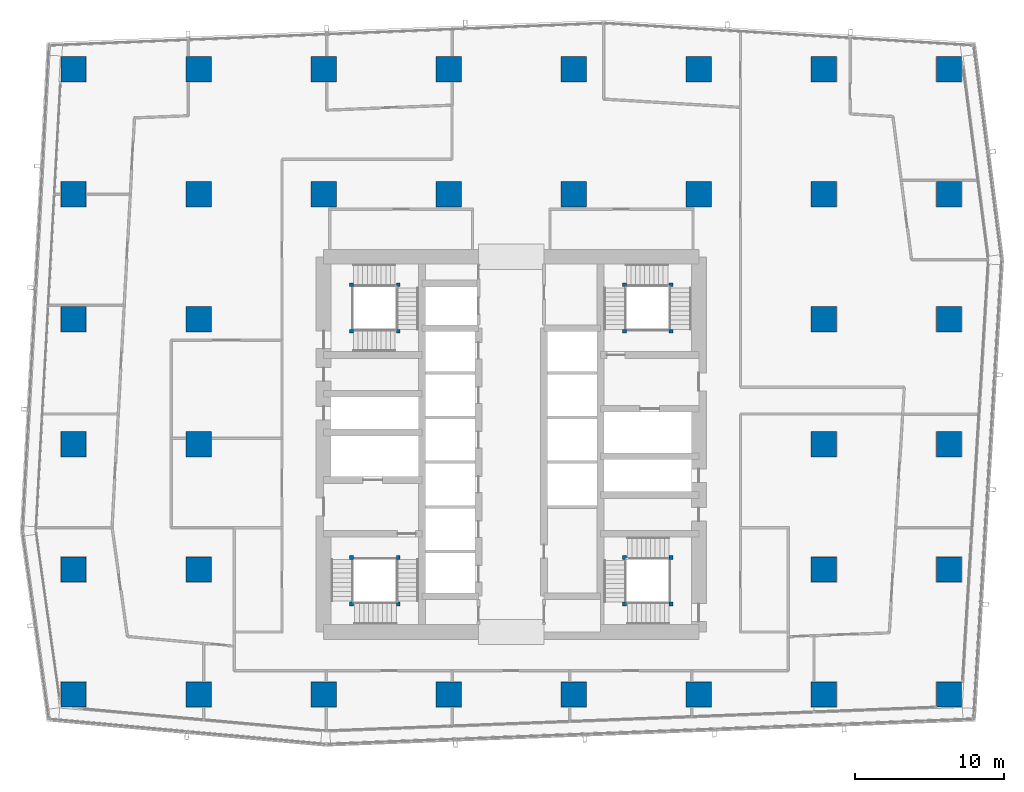
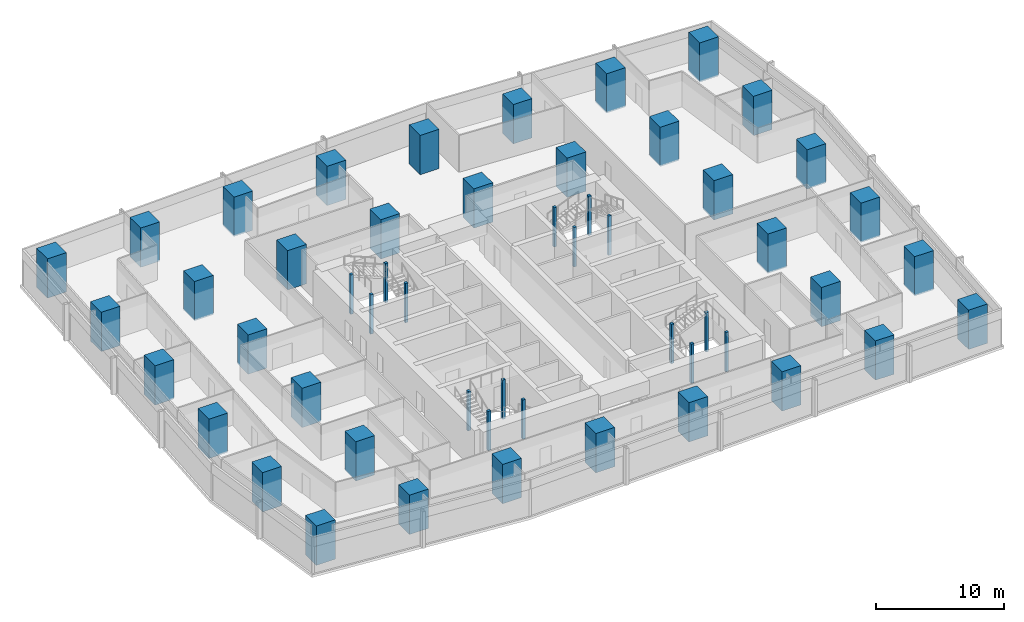
# One storey, part 1 of 40: 52 columns.
"""IFC4 building model written with IfcOpenShell, lengths in metres."""

from ifc_helpers import new_model, si_unit, direction, frame, origin, origin_2d, place, context, subcontext, project, spatial, rectangle, extrude, material, material_profile, profile_set, type_object, element, save


model = new_model("IFC4")

# Units and contexts
model_context = context("Model", 3, precision=1e-05, world=origin(), true_north=direction((0.0, 1.0)))
body_context = subcontext(model_context, "Body", "Model", "MODEL_VIEW")
ifc_project = project(units=[si_unit("LENGTHUNIT", "METRE"), si_unit("AREAUNIT", "SQUARE_METRE"), si_unit("VOLUMEUNIT", "CUBIC_METRE"), si_unit("PLANEANGLEUNIT", "RADIAN"), si_unit("MASSUNIT", "GRAM", prefix="KILO")], contexts=[model_context])

# Site, building, storey
site_placement = place(None, origin())
site = spatial("IfcSite", under=ifc_project, at=site_placement, CompositionType="ELEMENT")
building_placement = place(site_placement, origin())
building = spatial("IfcBuilding", under=site, at=building_placement, Name="Rekha Terrace Tower", CompositionType="ELEMENT")
storey_placement = place(building_placement, frame((0.0, 0.0, 136.550048828125)))
storey = spatial("IfcBuildingStorey", under=building, at=storey_placement, Name="L34", CompositionType="ELEMENT", Elevation=136.550048828125)

# Columns
ifc_material_1 = material(Name="Concrete M70", Category="concrete")
ifc_material_profile_1 = material_profile(ifc_material_1, rectangle(XDim=1.699951171875, YDim=1.699951171875, at=origin_2d()), Name="RC 1700x1700")
ifc_profile_set_1 = profile_set([ifc_material_profile_1], Name="Concrete M70")
column_type_1 = type_object("IfcColumnType", Name="C3 1700x1700 column", PredefinedType="COLUMN", material=ifc_profile_set_1)
for number, where, z_axis, x_axis, name in (
    (1, (8.39990234375, 16.800048828125, 0.0), (0.0, 0.0, 1.0), (1.0, 0.0, 0.0), "Column C3 2/C L34"),
    (2, (8.39990234375, 25.199951171875, 0.0), (0.0, 0.0, 1.0), (1.0, 0.0, 0.0), "Column C3 2/D L34"),
    (3, (8.39990234375, 33.60009765625, 0.0), (0.0, 0.0, 1.0), (1.0, 0.0, 0.0), "Column C3 2/E L34"),
    (4, (8.39990234375, 42.0, 0.0), (0.0, 0.0, 1.0), (1.0, 0.0, 0.0), "Column C3 2/F L34"),
    (5, (8.39990234375, 50.39990234375, 0.0), (0.0, 0.0, 1.0), (1.0, 0.0, 0.0), "Column C3 2/G L34"),
    (6, (8.39990234375, 58.800048828125, 0.0), (0.0, 0.0, 1.0), (1.0, 0.0, 0.0), "Column C3 2/H L34"),
    (7, (16.800048828125, 16.800048828125, 0.0), (0.0, 0.0, 1.0), (1.0, 0.0, 0.0), "Column C3 3/C L34"),
    (8, (16.800048828125, 25.199951171875, 0.0), (0.0, 0.0, 1.0), (1.0, 0.0, 0.0), "Column C3 3/D L34"),
    (9, (16.800048828125, 33.60009765625, 0.0), (0.0, 0.0, 1.0), (1.0, 0.0, 0.0), "Column C3 3/E L34"),
    (10, (16.800048828125, 42.0, 0.0), (0.0, 0.0, 1.0), (1.0, 0.0, 0.0), "Column C3 3/F L34"),
    (11, (16.800048828125, 50.39990234375, 0.0), (0.0, 0.0, 1.0), (1.0, 0.0, 0.0), "Column C3 3/G L34"),
    (12, (16.800048828125, 58.800048828125, 0.0), (0.0, 0.0, 1.0), (1.0, 0.0, 0.0), "Column C3 3/H L34"),
    (13, (25.199951171875, 16.800048828125, 0.0), (0.0, 0.0, 1.0), (1.0, 0.0, 0.0), "Column C3 4/C L34"),
    (14, (25.199951171875, 50.39990234375, 0.0), (0.0, 0.0, 1.0), (1.0, 0.0, 0.0), "Column C3 4/G L34"),
    (15, (25.199951171875, 58.800048828125, 0.0), (0.0, 0.0, 1.0), (1.0, 0.0, 0.0), "Column C3 4/H L34"),
    (16, (33.60009765625, 16.800048828125, 0.0), (0.0, 0.0, 1.0), (1.0, 0.0, 0.0), "Column C3 5/C L34"),
    (17, (33.60009765625, 50.39990234375, 0.0), (0.0, 0.0, 1.0), (1.0, 0.0, 0.0), "Column C3 5/G L34"),
    (18, (33.60009765625, 58.800048828125, 0.0), (0.0, 0.0, 1.0), (1.0, 0.0, 0.0), "Column C3 5/H L34"),
    (19, (42.0, 16.800048828125, 0.0), (0.0, 0.0, 1.0), (1.0, 0.0, 0.0), "Column C3 6/C L34"),
    (20, (42.0, 50.39990234375, 0.0), (0.0, 0.0, 1.0), (1.0, 0.0, 0.0), "Column C3 6/G L34"),
    (21, (42.0, 58.800048828125, 0.0), (0.0, 0.0, 1.0), (1.0, 0.0, 0.0), "Column C3 6/H L34"),
    (22, (50.39990234375, 16.800048828125, 0.0), (0.0, 0.0, 1.0), (1.0, 0.0, 0.0), "Column C3 7/C L34"),
    (23, (50.39990234375, 50.39990234375, 0.0), (0.0, 0.0, 1.0), (1.0, 0.0, 0.0), "Column C3 7/G L34"),
    (24, (50.39990234375, 58.800048828125, 0.0), (0.0, 0.0, 1.0), (1.0, 0.0, 0.0), "Column C3 7/H L34"),
    (25, (58.800048828125, 16.800048828125, 0.0), (0.0, 0.0, 1.0), (1.0, 0.0, 0.0), "Column C3 8/C L34"),
    (26, (58.800048828125, 25.199951171875, 0.0), (0.0, 0.0, 1.0), (1.0, 0.0, 0.0), "Column C3 8/D L34"),
    (27, (58.800048828125, 33.60009765625, 0.0), (0.0, 0.0, 1.0), (1.0, 0.0, 0.0), "Column C3 8/E L34"),
    (28, (58.800048828125, 42.0, 0.0), (0.0, 0.0, 1.0), (1.0, 0.0, 0.0), "Column C3 8/F L34"),
    (29, (58.800048828125, 50.39990234375, 0.0), (0.0, 0.0, 1.0), (1.0, 0.0, 0.0), "Column C3 8/G L34"),
    (30, (58.800048828125, 58.800048828125, 0.0), (0.0, 0.0, 1.0), (1.0, 0.0, 0.0), "Column C3 8/H L34"),
    (31, (67.199951171875, 16.800048828125, 0.0), (0.0, 0.0, 1.0), (1.0, 0.0, 0.0), "Column C3 9/C L34"),
    (32, (67.199951171875, 25.199951171875, 0.0), (0.0, 0.0, 1.0), (1.0, 0.0, 0.0), "Column C3 9/D L34"),
    (33, (67.199951171875, 33.60009765625, 0.0), (0.0, 0.0, 1.0), (1.0, 0.0, 0.0), "Column C3 9/E L34"),
    (34, (67.199951171875, 42.0, 0.0), (0.0, 0.0, 1.0), (1.0, 0.0, 0.0), "Column C3 9/F L34"),
    (35, (67.199951171875, 50.39990234375, 0.0), (0.0, 0.0, 1.0), (1.0, 0.0, 0.0), "Column C3 9/G L34"),
    (36, (67.199951171875, 58.800048828125, 0.0), (0.0, 0.0, 1.0), (1.0, 0.0, 0.0), "Column C3 9/H L34"),
):
    element("IfcColumn", number, at=place(storey_placement, frame(where, z_axis=z_axis, x_axis=x_axis)), inside=storey, type_object=column_type_1, Name=name, PredefinedType="COLUMN", context=body_context, shape_type="SweptSolid", body=[
        extrude(rectangle(XDim=1.699951171875, YDim=1.699951171875, at=origin_2d()), origin(), (0.0, 0.0, 1.0), 3.75),
    ])
ifc_material_2 = material(Name="Concrete M60", Category="concrete")
ifc_material_profile_2 = material_profile(ifc_material_2, rectangle(XDim=0.25, YDim=0.25, at=origin_2d()), Name="RC 250x250")
ifc_profile_set_2 = profile_set([ifc_material_profile_2], Name="Concrete M60")
column_type_2 = type_object("IfcColumnType", Name="NP1 250x250 stair newel post", PredefinedType="COLUMN", material=ifc_profile_set_2)
for number, where, z_axis, x_axis, name in (
    (37, (30.199951171875, 26.0, 0.0), (0.0, 0.0, 1.0), (1.0, 0.0, 0.0), "Stair newel post NP1"),
    (38, (30.199951171875, 22.875, 0.0), (0.0, 0.0, 1.0), (1.0, 0.0, 0.0), "Stair newel post NP1"),
    (39, (27.074951171875, 22.875, 0.0), (0.0, 0.0, 1.0), (1.0, 0.0, 0.0), "Stair newel post NP1"),
    (40, (27.074951171875, 26.0, 0.0), (0.0, 0.0, 1.0), (1.0, 0.0, 0.0), "Stair newel post NP1"),
    (41, (45.39990234375, 41.199951171875, 0.0), (0.0, 0.0, 1.0), (1.0, 0.0, 0.0), "Stair newel post NP1"),
    (42, (45.39990234375, 44.324951171875, 0.0), (0.0, 0.0, 1.0), (1.0, 0.0, 0.0), "Stair newel post NP1"),
    (43, (48.52490234375, 44.324951171875, 0.0), (0.0, 0.0, 1.0), (1.0, 0.0, 0.0), "Stair newel post NP1"),
    (44, (48.52490234375, 41.199951171875, 0.0), (0.0, 0.0, 1.0), (1.0, 0.0, 0.0), "Stair newel post NP1"),
    (45, (48.52490234375, 22.875, 0.0), (0.0, 0.0, 1.0), (1.0, 0.0, 0.0), "Stair newel post NP1"),
    (46, (45.39990234375, 22.875, 0.0), (0.0, 0.0, 1.0), (1.0, 0.0, 0.0), "Stair newel post NP1"),
    (47, (45.39990234375, 26.0, 0.0), (0.0, 0.0, 1.0), (1.0, 0.0, 0.0), "Stair newel post NP1"),
    (48, (48.52490234375, 26.0, 0.0), (0.0, 0.0, 1.0), (1.0, 0.0, 0.0), "Stair newel post NP1"),
    (49, (27.074951171875, 41.199951171875, 0.0), (0.0, 0.0, 1.0), (1.0, 0.0, 0.0), "Stair newel post NP1"),
    (50, (30.199951171875, 41.199951171875, 0.0), (0.0, 0.0, 1.0), (1.0, 0.0, 0.0), "Stair newel post NP1"),
    (51, (30.199951171875, 44.324951171875, 0.0), (0.0, 0.0, 1.0), (1.0, 0.0, 0.0), "Stair newel post NP1"),
    (52, (27.074951171875, 44.324951171875, 0.0), (0.0, 0.0, 1.0), (1.0, 0.0, 0.0), "Stair newel post NP1"),
):
    element("IfcColumn", number, at=place(storey_placement, frame(where, z_axis=z_axis, x_axis=x_axis)), inside=storey, type_object=column_type_2, Name=name, PredefinedType="COLUMN", context=body_context, shape_type="SweptSolid", body=[
        extrude(rectangle(XDim=0.25, YDim=0.25, at=origin_2d()), origin(), (0.0, 0.0, 1.0), 3.75),
    ])

save(model, "model.ifc")
